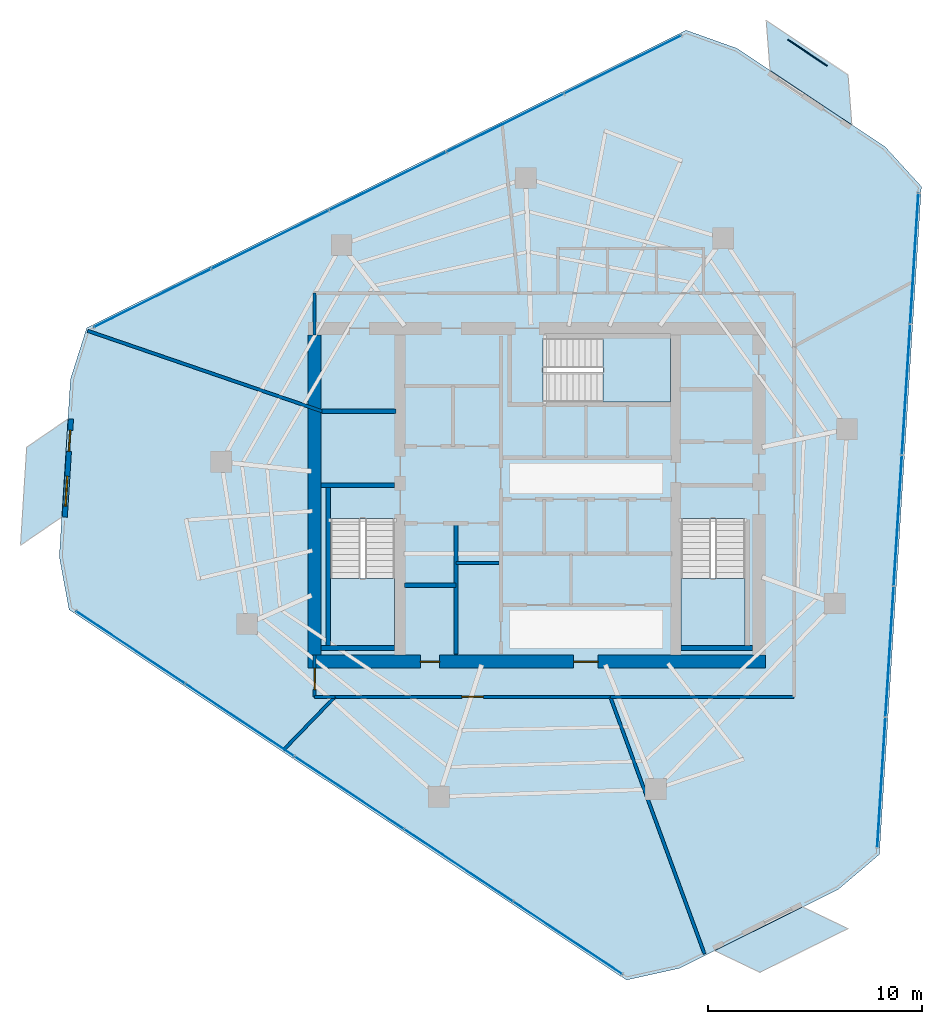
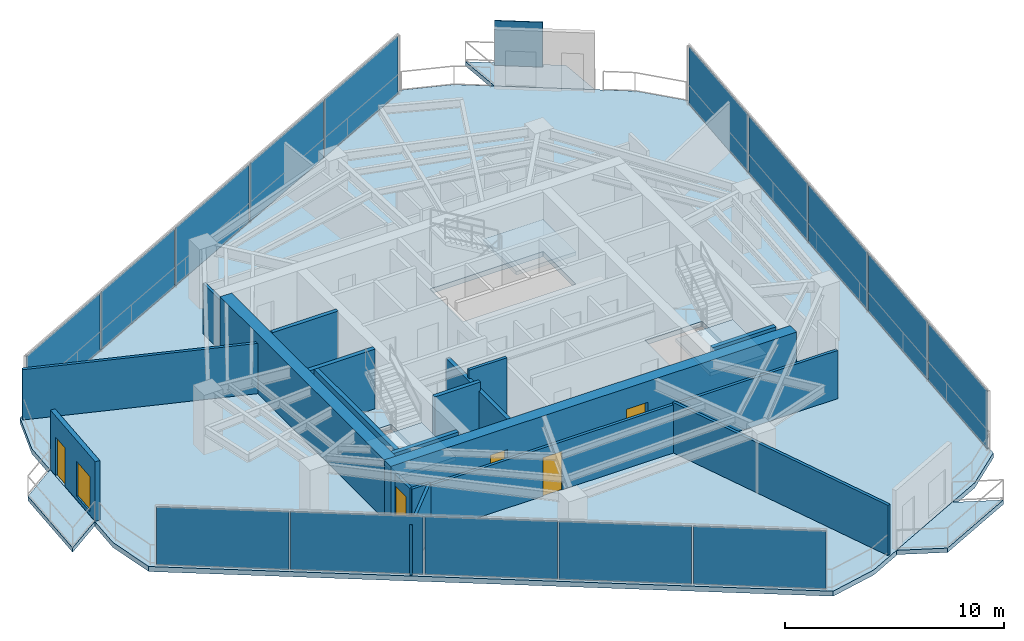
# One storey, part 16 of 21: 19 walls, 16 plates, 7 slabs, 5 doors, 1 window, 6 openings, 6 elements without a shape of their own.
"""IFC4 building model written with IfcOpenShell, lengths in metres."""

from ifc_helpers import new_model, si_unit, direction, frame, frame_2d, origin, origin_2d, place, context, subcontext, project, spatial, polyline, rectangle, outline, extrude, material, layer, layer_set, type_object, element, fill, aggregate, save


model = new_model("IFC4")

# Units and contexts
model_context = context("Model", 3, precision=1e-05, world=origin(), true_north=direction((0.0, 1.0)))
body_context = subcontext(model_context, "Body", "Model", "MODEL_VIEW")
ifc_project = project(units=[si_unit("LENGTHUNIT", "METRE"), si_unit("AREAUNIT", "SQUARE_METRE"), si_unit("VOLUMEUNIT", "CUBIC_METRE"), si_unit("PLANEANGLEUNIT", "RADIAN"), si_unit("MASSUNIT", "GRAM", prefix="KILO")], contexts=[model_context])

# Site, building, storey
site_placement = place(None, origin())
site = spatial("IfcSite", under=ifc_project, at=site_placement, CompositionType="ELEMENT")
building_placement = place(site_placement, origin())
building = spatial("IfcBuilding", under=site, at=building_placement, Name="Qarnah Convention Tower", CompositionType="ELEMENT")
storey_placement = place(building_placement, frame((0.0, 0.0, 165.300048828125)))
storey = spatial("IfcBuildingStorey", under=building, at=storey_placement, Name="L44", CompositionType="ELEMENT", Elevation=165.300048828125)

# Curtain wall, plates
ifc_material_1 = material(Name="Tempered Low-E dark glass", Category="glass")
ifc_layer_1 = layer(ifc_material_1, 0.172119140625)
ifc_layer_set_1 = layer_set([ifc_layer_1], Name="Tempered Low-E dark glass")
curtain_wall_type = type_object("IfcCurtainWallType", Name="CWS-03", PredefinedType="NOTDEFINED", material=ifc_layer_set_1)
curtain_wall_1_placement = place(storey_placement, origin())
curtain_wall_1 = element("IfcCurtainWall", 1, at=curtain_wall_1_placement, inside=storey, type_object=curtain_wall_type, Name="L44 unitised curtain wall CW-L44-F1", PredefinedType="NOTDEFINED")
ifc_layer_2 = layer(ifc_material_1, 0.031982421875)
ifc_layer_set_2 = layer_set([ifc_layer_2], Name="Tempered Low-E dark glass")
plate_type_1 = type_object("IfcPlateType", Name="PNL-T3", PredefinedType="CURTAIN_PANEL", material=ifc_layer_set_2)
plate_1_placement = place(storey_placement, frame((38.652587890625, 5.662353515625, 0.0400390625), z_axis=(0.0, 0.0, 1.0), x_axis=(-0.832920468029, 0.55339271222, 0.0)))
plate_1 = element("IfcPlate", 2, at=plate_1_placement, type_object=plate_type_1, Name="CW-L44-F1 curtain panel 1.1", PredefinedType="CURTAIN_PANEL", context=body_context, shape_type="SweptSolid", body=[
    extrude(rectangle(XDim=6.0654296875, YDim=0.031982421875, at=origin_2d()), origin(), (0.0, 0.0, 1.0), 3.239990234375),
])
plate_2_placement = place(storey_placement, frame((33.5341796875, 9.063232421875, 0.0400390625), z_axis=(0.0, 0.0, 1.0), x_axis=(-0.832920468029, 0.55339271222, 0.0)))
plate_2 = element("IfcPlate", 3, at=plate_2_placement, type_object=plate_type_1, Name="CW-L44-F1 curtain panel 2.1", PredefinedType="CURTAIN_PANEL", context=body_context, shape_type="SweptSolid", body=[
    extrude(rectangle(XDim=6.0654296875, YDim=0.031982421875, at=origin_2d()), origin(), (0.0, 0.0, 1.0), 3.239990234375),
])
plate_3_placement = place(storey_placement, frame((28.41552734375, 12.464111328125, 0.0400390625), z_axis=(0.0, 0.0, 1.0), x_axis=(-0.832920468029, 0.55339271222, 0.0)))
plate_3 = element("IfcPlate", 4, at=plate_3_placement, type_object=plate_type_1, Name="CW-L44-F1 curtain panel 3.1", PredefinedType="CURTAIN_PANEL", context=body_context, shape_type="SweptSolid", body=[
    extrude(rectangle(XDim=6.0654296875, YDim=0.031982421875, at=origin_2d()), origin(), (0.0, 0.0, 1.0), 3.239990234375),
])
plate_4_placement = place(storey_placement, frame((23.296875, 15.86474609375, 0.0400390625), z_axis=(0.0, 0.0, 1.0), x_axis=(-0.832920468029, 0.55339271222, 0.0)))
plate_4 = element("IfcPlate", 5, at=plate_4_placement, type_object=plate_type_1, Name="CW-L44-F1 curtain panel 4.1", PredefinedType="CURTAIN_PANEL", context=body_context, shape_type="SweptSolid", body=[
    extrude(rectangle(XDim=6.0654296875, YDim=0.031982421875, at=origin_2d()), origin(), (0.0, 0.0, 1.0), 3.239990234375),
])
plate_5_placement = place(storey_placement, frame((18.17822265625, 19.265625, 0.0400390625), z_axis=(0.0, 0.0, 1.0), x_axis=(-0.832920468029, 0.55339271222, 0.0)))
plate_5 = element("IfcPlate", 6, at=plate_5_placement, type_object=plate_type_1, Name="CW-L44-F1 curtain panel 5.1", PredefinedType="CURTAIN_PANEL", context=body_context, shape_type="SweptSolid", body=[
    extrude(rectangle(XDim=6.0654296875, YDim=0.031982421875, at=origin_2d()), origin(), (0.0, 0.0, 1.0), 3.239990234375),
])
aggregate(curtain_wall_1, [plate_1, plate_2, plate_3, plate_4, plate_5])

curtain_wall_2_placement = place(storey_placement, origin())
curtain_wall_2 = element("IfcCurtainWall", 7, at=curtain_wall_2_placement, inside=storey, type_object=curtain_wall_type, Name="L44 unitised curtain wall CW-L44-F2", PredefinedType="NOTDEFINED")
plate_6_placement = place(storey_placement, frame((19.207275390625, 35.62109375, 0.0400390625), z_axis=(0.0, 0.0, 1.0), x_axis=(0.895712272422, 0.444634147399, 0.0)))
plate_6 = element("IfcPlate", 8, at=plate_6_placement, type_object=plate_type_1, Name="CW-L44-F2 curtain panel 1.1", PredefinedType="CURTAIN_PANEL", context=body_context, shape_type="SweptSolid", body=[
    extrude(rectangle(XDim=6.065185546875, YDim=0.031982421875, at=origin_2d()), origin(), (0.0, 0.0, 1.0), 3.239990234375),
])
plate_7_placement = place(storey_placement, frame((24.711669921875, 38.353515625, 0.0400390625), z_axis=(0.0, 0.0, 1.0), x_axis=(0.895712272422, 0.444634147399, 0.0)))
plate_7 = element("IfcPlate", 9, at=plate_7_placement, type_object=plate_type_1, Name="CW-L44-F2 curtain panel 2.1", PredefinedType="CURTAIN_PANEL", context=body_context, shape_type="SweptSolid", body=[
    extrude(rectangle(XDim=6.065185546875, YDim=0.031982421875, at=origin_2d()), origin(), (0.0, 0.0, 1.0), 3.239990234375),
])
plate_8_placement = place(storey_placement, frame((30.216064453125, 41.0859375, 0.0400390625), z_axis=(0.0, 0.0, 1.0), x_axis=(0.895712272422, 0.444634147399, 0.0)))
plate_8 = element("IfcPlate", 10, at=plate_8_placement, type_object=plate_type_1, Name="CW-L44-F2 curtain panel 3.1", PredefinedType="CURTAIN_PANEL", context=body_context, shape_type="SweptSolid", body=[
    extrude(rectangle(XDim=6.065185546875, YDim=0.031982421875, at=origin_2d()), origin(), (0.0, 0.0, 1.0), 3.239990234375),
])
plate_9_placement = place(storey_placement, frame((35.720458984375, 43.818359375, 0.0400390625), z_axis=(0.0, 0.0, 1.0), x_axis=(0.895712272422, 0.444634147399, 0.0)))
plate_9 = element("IfcPlate", 11, at=plate_9_placement, type_object=plate_type_1, Name="CW-L44-F2 curtain panel 4.1", PredefinedType="CURTAIN_PANEL", context=body_context, shape_type="SweptSolid", body=[
    extrude(rectangle(XDim=6.065185546875, YDim=0.031982421875, at=origin_2d()), origin(), (0.0, 0.0, 1.0), 3.239990234375),
])
plate_10_placement = place(storey_placement, frame((41.224853515625, 46.55078125, 0.0400390625), z_axis=(0.0, 0.0, 1.0), x_axis=(0.895712272422, 0.444634147399, 0.0)))
plate_10 = element("IfcPlate", 12, at=plate_10_placement, type_object=plate_type_1, Name="CW-L44-F2 curtain panel 5.1", PredefinedType="CURTAIN_PANEL", context=body_context, shape_type="SweptSolid", body=[
    extrude(rectangle(XDim=6.065185546875, YDim=0.031982421875, at=origin_2d()), origin(), (0.0, 0.0, 1.0), 3.239990234375),
])
aggregate(curtain_wall_2, [plate_6, plate_7, plate_8, plate_9, plate_10])

curtain_wall_3_placement = place(storey_placement, origin())
curtain_wall_3 = element("IfcCurtainWall", 13, at=curtain_wall_3_placement, inside=storey, type_object=curtain_wall_type, Name="L44 unitised curtain wall CW-L44-F3", PredefinedType="NOTDEFINED")
plate_11_placement = place(storey_placement, frame((54.8740234375, 37.4814453125, 0.0400390625), z_axis=(0.0, 0.0, 1.0), x_axis=(-0.062781496561, -0.998027296064, 0.0)))
plate_11 = element("IfcPlate", 14, at=plate_11_placement, type_object=plate_type_1, Name="CW-L44-F3 curtain panel 1.1", PredefinedType="CURTAIN_PANEL", context=body_context, shape_type="SweptSolid", body=[
    extrude(rectangle(XDim=6.065185546875, YDim=0.031982421875, at=origin_2d()), origin(), (0.0, 0.0, 1.0), 3.239990234375),
])
plate_12_placement = place(storey_placement, frame((54.48828125, 31.348388671875, 0.0400390625), z_axis=(0.0, 0.0, 1.0), x_axis=(-0.062781496561, -0.998027296064, 0.0)))
plate_12 = element("IfcPlate", 15, at=plate_12_placement, type_object=plate_type_1, Name="CW-L44-F3 curtain panel 2.1", PredefinedType="CURTAIN_PANEL", context=body_context, shape_type="SweptSolid", body=[
    extrude(rectangle(XDim=6.065185546875, YDim=0.031982421875, at=origin_2d()), origin(), (0.0, 0.0, 1.0), 3.239990234375),
])
plate_13_placement = place(storey_placement, frame((54.1025390625, 25.215576171875, 0.0400390625), z_axis=(0.0, 0.0, 1.0), x_axis=(-0.062781496561, -0.998027296064, 0.0)))
plate_13 = element("IfcPlate", 16, at=plate_13_placement, type_object=plate_type_1, Name="CW-L44-F3 curtain panel 3.1", PredefinedType="CURTAIN_PANEL", context=body_context, shape_type="SweptSolid", body=[
    extrude(rectangle(XDim=6.065185546875, YDim=0.031982421875, at=origin_2d()), origin(), (0.0, 0.0, 1.0), 3.239990234375),
])
plate_14_placement = place(storey_placement, frame((53.716796875, 19.08251953125, 0.0400390625), z_axis=(0.0, 0.0, 1.0), x_axis=(-0.062781496561, -0.998027296064, 0.0)))
plate_14 = element("IfcPlate", 17, at=plate_14_placement, type_object=plate_type_1, Name="CW-L44-F3 curtain panel 4.1", PredefinedType="CURTAIN_PANEL", context=body_context, shape_type="SweptSolid", body=[
    extrude(rectangle(XDim=6.065185546875, YDim=0.031982421875, at=origin_2d()), origin(), (0.0, 0.0, 1.0), 3.239990234375),
])
plate_15_placement = place(storey_placement, frame((53.330810546875, 12.949462890625, 0.0400390625), z_axis=(0.0, 0.0, 1.0), x_axis=(-0.062781496561, -0.998027296064, 0.0)))
plate_15 = element("IfcPlate", 18, at=plate_15_placement, type_object=plate_type_1, Name="CW-L44-F3 curtain panel 5.1", PredefinedType="CURTAIN_PANEL", context=body_context, shape_type="SweptSolid", body=[
    extrude(rectangle(XDim=6.065185546875, YDim=0.031982421875, at=origin_2d()), origin(), (0.0, 0.0, 1.0), 3.239990234375),
])
aggregate(curtain_wall_3, [plate_11, plate_12, plate_13, plate_14, plate_15])

# Plate
ifc_material_2 = material(Name="Black anodised aluminium", Category="aluminium")
ifc_layer_3 = layer(ifc_material_2, 0.044921875)
ifc_layer_set_3 = layer_set([ifc_layer_3], Name="Black anodised aluminium")
plate_type_2 = type_object("IfcPlateType", Name="SCR-BAL-18", PredefinedType="USERDEFINED", material=ifc_layer_set_3)
plate_16_placement = place(storey_placement, frame((49.873046875, 47.10498046875, 0.0), z_axis=(0.0, 0.0, 1.0), x_axis=(0.832952146626, -0.553345029282, 0.0)))
element("IfcPlate", 19, at=plate_16_placement, inside=storey, type_object=plate_type_2, Name="L44 perforated desert solar screen BAL-L44-C1", ObjectType="SCREEN", PredefinedType="USERDEFINED", context=body_context, shape_type="SweptSolid", body=[
    extrude(rectangle(XDim=2.199951171875, YDim=0.044921875, at=origin_2d()), origin(), (0.0, 0.0, 1.0), 2.5),
])

# Slabs
ifc_material_3 = material(Name="Concrete C45/55", Category="concrete")
ifc_layer_4 = layer(ifc_material_3, 0.239990234375)
ifc_layer_set_4 = layer_set([ifc_layer_4], Name="Concrete C45/55")
slab_type_1 = type_object("IfcSlabType", Name="SLB-BAL-240", PredefinedType="USERDEFINED", material=ifc_layer_set_4)
slab_1_placement = place(storey_placement, frame((0.0, 0.0, -0.239990234375)))
element("IfcSlab", 20, at=slab_1_placement, inside=storey, type_object=slab_type_1, Name="L44 cantilevered balcony slab BAL-L44-C1", ObjectType="BALCONY", PredefinedType="USERDEFINED", context=body_context, shape_type="SweptSolid", body=[
    extrude(outline(polyline([(47.93896484375, 48.616943359375), (51.77001953125, 46.072021484375), (51.949951171875, 43.73193359375), (48.118896484375, 46.277099609375), (47.93896484375, 48.616943359375)])), origin(), (0.0, 0.0, 1.0), 0.239990234375),
])
slab_2_placement = place(storey_placement, frame((0.0, 0.0, -0.239990234375)))
element("IfcSlab", 21, at=slab_2_placement, inside=storey, type_object=slab_type_1, Name="L44 cantilevered balcony slab BAL-L44-C2", ObjectType="BALCONY", PredefinedType="USERDEFINED", context=body_context, shape_type="SweptSolid", body=[
    extrude(outline(polyline([(13.031005859375, 24.047119140625), (13.320068359375, 28.636962890625), (15.256103515625, 29.962890625), (14.968017578125, 25.3720703125), (13.031005859375, 24.047119140625)])), origin(), (0.0, 0.0, 1.0), 0.239990234375),
])
slab_3_placement = place(storey_placement, frame((0.0, 0.0, -0.239990234375)))
element("IfcSlab", 22, at=slab_3_placement, inside=storey, type_object=slab_type_1, Name="L44 cantilevered balcony slab BAL-L44-C3", ObjectType="BALCONY", PredefinedType="USERDEFINED", context=body_context, shape_type="SweptSolid", body=[
    extrude(outline(polyline([(51.763916015625, 6.10107421875), (47.64404296875, 4.055908203125), (45.527099609375, 5.070068359375), (49.64794921875, 7.114990234375), (51.763916015625, 6.10107421875)])), origin(), (0.0, 0.0, 1.0), 0.239990234375),
])

# Stair, slab
ifc_material_4 = material(Name="Concrete C50/60", Category="concrete")
stair_type = type_object("IfcStairType", Name="STR-OFF", PredefinedType="HALF_TURN_STAIR", material=ifc_material_4)
stair_1_placement = place(storey_placement, origin())
stair_1 = element("IfcStair", 23, at=stair_1_placement, inside=storey, type_object=stair_type, Name="L44 Core exit stair ST-1", PredefinedType="HALF_TURN_STAIR")
ifc_layer_5 = layer(ifc_material_4, 0.199951171875)
ifc_layer_set_5 = layer_set([ifc_layer_5], Name="Concrete C50/60")
slab_type_2 = type_object("IfcSlabType", Name="SLB-LANDING-200", PredefinedType="LANDING", material=ifc_layer_set_5)
slab_4_placement = place(storey_placement, frame((0.0, 0.0, 1.599853515625)))
slab_4 = element("IfcSlab", 24, at=slab_4_placement, type_object=slab_type_2, Name="ST-1 landing 1", PredefinedType="LANDING", context=body_context, shape_type="SweptSolid", body=[
    extrude(outline(polyline([(27.550048828125, 22.5), (27.550048828125, 19.35009765625), (30.550048828125, 19.35009765625), (30.550048828125, 22.5), (27.550048828125, 22.5)])), origin(), (0.0, 0.0, 1.0), 0.2001953125),
])
aggregate(stair_1, [slab_4])

stair_2_placement = place(storey_placement, origin())
stair_2 = element("IfcStair", 25, at=stair_2_placement, inside=storey, type_object=stair_type, Name="L44 Core exit stair ST-2", PredefinedType="HALF_TURN_STAIR")
slab_5_placement = place(storey_placement, frame((0.0, 0.0, 1.599853515625)))
slab_5 = element("IfcSlab", 26, at=slab_5_placement, type_object=slab_type_2, Name="ST-2 landing 1", PredefinedType="LANDING", context=body_context, shape_type="SweptSolid", body=[
    extrude(outline(polyline([(43.949951171875, 22.5), (43.949951171875, 19.35009765625), (46.949951171875, 19.35009765625), (46.949951171875, 22.5), (43.949951171875, 22.5)])), origin(), (0.0, 0.0, 1.0), 0.2001953125),
])
aggregate(stair_2, [slab_5])

stair_3_placement = place(storey_placement, origin())
stair_3 = element("IfcStair", 27, at=stair_3_placement, inside=storey, type_object=stair_type, Name="L44 Core exit stair ST-3", PredefinedType="HALF_TURN_STAIR")
slab_6_placement = place(storey_placement, frame((0.0, 0.0, 1.599853515625)))
slab_6 = element("IfcSlab", 28, at=slab_6_placement, type_object=slab_type_2, Name="ST-3 landing 1", PredefinedType="LANDING", context=body_context, shape_type="SweptSolid", body=[
    extrude(outline(polyline([(40.300048828125, 30.75), (43.449951171875, 30.75), (43.449951171875, 33.75), (40.300048828125, 33.75), (40.300048828125, 30.75)])), origin(), (0.0, 0.0, 1.0), 0.2001953125),
])
aggregate(stair_3, [slab_6])

# Slab
ifc_layer_6 = layer(ifc_material_3, 0.280029296875)
ifc_layer_set_6 = layer_set([ifc_layer_6], Name="Concrete C45/55")
slab_type_3 = type_object("IfcSlabType", Name="SLB-TWR-280", PredefinedType="FLOOR", material=ifc_layer_set_6)
slab_7_placement = place(storey_placement, frame((0.0, 0.0, -0.280029296875)))
element("IfcSlab", 29, at=slab_7_placement, inside=storey, type_object=slab_type_3, Name="L44 structural floor slab", PredefinedType="FLOOR", context=body_context, shape_type="SweptSolid", body=[
    extrude(outline(polyline([(44.19189453125, 48.157958984375), (16.133056640625, 34.22900390625), (15.368896484375, 31.821044921875), (14.846923828125, 23.51611328125), (15.302978515625, 21.031982421875), (41.39501953125, 3.696044921875), (43.862060546875, 4.239013671875), (51.31494140625, 7.93798828125), (53.239013671875, 9.575927734375), (55.2060546875, 40.840087890625), (53.5029296875, 42.705078125), (46.572021484375, 47.31005859375), (44.19189453125, 48.157958984375)]), holes=[polyline([(27.550048828125, 25.300048828125), (27.550048828125, 19.35009765625), (30.550048828125, 19.35009765625), (30.550048828125, 25.300048828125), (27.550048828125, 25.300048828125)]), polyline([(43.949951171875, 25.300048828125), (43.949951171875, 19.35009765625), (46.949951171875, 19.35009765625), (46.949951171875, 25.300048828125), (43.949951171875, 25.300048828125)]), polyline([(37.5, 30.75), (43.449951171875, 30.75), (43.449951171875, 33.75), (37.5, 33.75), (37.5, 30.75)])]), origin(), (0.0, 0.0, 1.0), 0.280029296875),
])

# Wall, openings, doors
ifc_material_5 = material(Name="Concrete C60/75", Category="concrete")
ifc_layer_7 = layer(ifc_material_5, 0.60009765625)
ifc_layer_set_7 = layer_set([ifc_layer_7], Name="Concrete C60/75")
wall_type_1 = type_object("IfcWallType", Name="WL-CORE-600", PredefinedType="SHEAR", material=ifc_layer_set_7)
wall_1_placement = place(storey_placement, frame((26.5, 18.60009765625, 0.0), z_axis=(0.0, 0.0, 1.0), x_axis=(1.0, 0.0, 0.0)))
wall_1 = element("IfcWall", 30, at=wall_1_placement, inside=storey, type_object=wall_type_1, Name="L44 core south shear wall", PredefinedType="SHEAR", context=body_context, shape_type="SweptSolid", body=[
    extrude(rectangle(XDim=21.39990234375, YDim=0.60009765625, at=frame_2d((10.699951171875, 0.0))), origin(), (0.0, 0.0, 1.0), 3.320068359375),
])
opening_1_placement = place(wall_1_placement, frame((12.425048828125, 0.0, 0.0)))
opening_1 = element("IfcOpeningElement", 31, at=opening_1_placement, cuts=wall_1, Name="Opening D-4407", PredefinedType="OPENING", context=body_context, shape_type="SweptSolid", body=[
    extrude(rectangle(XDim=1.14990234375, YDim=2.14990234375, at=frame_2d((0.574951171875, 1.074951171875))), frame((0.0, 0.31005859375, 0.0), z_axis=(0.0, -1.0, 0.0), x_axis=(1.0, 0.0, 0.0)), (0.0, 0.0, 1.0), 0.6201171875),
])
opening_2_placement = place(wall_1_placement, frame((5.25, 0.0, 0.0)))
opening_2 = element("IfcOpeningElement", 32, at=opening_2_placement, cuts=wall_1, Name="Opening D-4413", PredefinedType="OPENING", context=body_context, shape_type="SweptSolid", body=[
    extrude(rectangle(XDim=0.89990234375, YDim=2.10009765625, at=frame_2d((0.449951171875, 1.050048828125))), frame((0.0, 0.31005859375, 0.0), z_axis=(0.0, -1.0, 0.0), x_axis=(1.0, 0.0, 0.0)), (0.0, 0.0, 1.0), 0.6201171875),
])
ifc_material_6 = material(Name="Structural steel S355JR", Category="steel")
door_type_1 = type_object("IfcDoorType", Name="DT-LOBBY-1150", OperationType="NOTDEFINED", PredefinedType="DOOR", material=ifc_material_6)
door_1_placement = place(opening_1_placement, origin())
door_1 = element("IfcDoor", 33, at=door_1_placement, inside=storey, type_object=door_type_1, Name="Door D-4407", OperationType="SINGLE_SWING_LEFT", OverallHeight=2.14990234375, OverallWidth=1.14990234375, PredefinedType="DOOR", context=body_context, shape_type="SweptSolid", body=[
    extrude(rectangle(XDim=1.14990234375, YDim=2.14990234375, at=frame_2d((0.574951171875, 1.074951171875))), frame((0.0, 0.02490234375, 0.0), z_axis=(0.0, -1.0, 0.0), x_axis=(1.0, 0.0, 0.0)), (0.0, 0.0, 1.0), 0.050048828125),
])
fill(opening_1, door_1)
door_type_2 = type_object("IfcDoorType", Name="DT-RISER-900", OperationType="NOTDEFINED", PredefinedType="DOOR", material=ifc_material_6)
door_2_placement = place(opening_2_placement, origin())
door_2 = element("IfcDoor", 34, at=door_2_placement, inside=storey, type_object=door_type_2, Name="Door D-4413", OperationType="SINGLE_SWING_LEFT", OverallHeight=2.10009765625, OverallWidth=0.89990234375, PredefinedType="DOOR", context=body_context, shape_type="SweptSolid", body=[
    extrude(rectangle(XDim=0.89990234375, YDim=2.10009765625, at=frame_2d((0.449951171875, 1.050048828125))), frame((0.0, 0.02490234375, 0.0), z_axis=(0.0, -1.0, 0.0), x_axis=(1.0, 0.0, 0.0)), (0.0, 0.0, 1.0), 0.050048828125),
])
fill(opening_2, door_2)

# Walls
wall_2_placement = place(storey_placement, frame((26.800048828125, 18.89990234375, 0.0), z_axis=(0.0, 0.0, 1.0), x_axis=(0.0, 1.0, 0.0)))
element("IfcWall", 35, at=wall_2_placement, inside=storey, type_object=wall_type_1, Name="L44 core west shear wall", PredefinedType="SHEAR", context=body_context, shape_type="SweptSolid", body=[
    extrude(rectangle(XDim=15.0, YDim=0.60009765625, at=frame_2d((7.5, 0.0))), origin(), (0.0, 0.0, 1.0), 3.320068359375),
])
ifc_layer_8 = layer(ifc_material_3, 0.199951171875)
ifc_layer_set_8 = layer_set([ifc_layer_8], Name="Concrete C45/55")
wall_type_2 = type_object("IfcWallType", Name="WL-CORE-PART-200", PredefinedType="SOLIDWALL", material=ifc_layer_set_8)
wall_3_placement = place(storey_placement, frame((27.14990234375, 30.320068359375, 0.0), z_axis=(0.0, 0.0, 1.0), x_axis=(1.0, 0.0, 0.0)))
element("IfcWall", 36, at=wall_3_placement, inside=storey, type_object=wall_type_2, Name="L44 interior wall IW-L44-ELRN", PredefinedType="SOLIDWALL", context=body_context, shape_type="SweptSolid", body=[
    extrude(rectangle(XDim=3.4501953125, YDim=0.199951171875, at=frame_2d((1.72509765625, 0.0))), origin(), (0.0, 0.0, 1.0), 3.320068359375),
])
wall_4_placement = place(storey_placement, frame((33.419921875, 18.949951171875, 0.0), z_axis=(0.0, 0.0, 1.0), x_axis=(0.0, 1.0, 0.0)))
element("IfcWall", 37, at=wall_4_placement, inside=storey, type_object=wall_type_2, Name="L44 interior wall IW-L44-SVLE", PredefinedType="SOLIDWALL", context=body_context, shape_type="SweptSolid", body=[
    extrude(rectangle(XDim=6.130126953125, YDim=0.199951171875, at=frame_2d((3.06494140625, 0.0))), origin(), (0.0, 0.0, 1.0), 2.841064453125),
])
wall_5_placement = place(storey_placement, frame((31.0, 22.179931640625, 0.0), z_axis=(0.0, 0.0, 1.0), x_axis=(1.0, 0.0, 0.0)))
element("IfcWall", 38, at=wall_5_placement, inside=storey, type_object=wall_type_2, Name="L44 interior wall IW-L44-SVLS", PredefinedType="SOLIDWALL", context=body_context, shape_type="SweptSolid", body=[
    extrude(rectangle(XDim=2.419921875, YDim=0.199951171875, at=frame_2d((1.2099609375, 0.0))), origin(), (0.0, 0.0, 1.0), 3.320068359375),
])
ifc_layer_9 = layer(ifc_material_5, 0.219970703125)
ifc_layer_set_9 = layer_set([ifc_layer_9], Name="Concrete C60/75")
wall_type_3 = type_object("IfcWallType", Name="WL-CORE-STAIR-220", PredefinedType="SHEAR", material=ifc_layer_set_9)
wall_6_placement = place(storey_placement, frame((27.10009765625, 26.860107421875, 0.0), z_axis=(0.0, 0.0, 1.0), x_axis=(1.0, 0.0, 0.0)))
element("IfcWall", 39, at=wall_6_placement, inside=storey, type_object=wall_type_3, Name="L44 stair shaft shear wall SW-L44-ST1N", PredefinedType="SHEAR", context=body_context, shape_type="SweptSolid", body=[
    extrude(rectangle(XDim=3.449951171875, YDim=0.219970703125, at=frame_2d((1.72509765625, 0.0))), origin(), (0.0, 0.0, 1.0), 3.320068359375),
])
wall_7_placement = place(storey_placement, frame((27.43994140625, 19.35009765625, 0.0), z_axis=(0.0, 0.0, 1.0), x_axis=(0.0, 1.0, 0.0)))
element("IfcWall", 40, at=wall_7_placement, inside=storey, type_object=wall_type_3, Name="L44 stair shaft shear wall SW-L44-ST1W", PredefinedType="SHEAR", context=body_context, shape_type="SweptSolid", body=[
    extrude(rectangle(XDim=7.39990234375, YDim=0.219970703125, at=frame_2d((3.699951171875, 0.0))), origin(), (0.0, 0.0, 1.0), 3.320068359375),
])
wall_8_placement = place(storey_placement, frame((27.10009765625, 19.239990234375, 0.0), z_axis=(0.0, 0.0, 1.0), x_axis=(1.0, 0.0, 0.0)))
element("IfcWall", 41, at=wall_8_placement, inside=storey, type_object=wall_type_3, Name="L44 stair shaft shear wall SW-L44-ST1S", PredefinedType="SHEAR", context=body_context, shape_type="SweptSolid", body=[
    extrude(rectangle(XDim=3.449951171875, YDim=0.219970703125, at=frame_2d((1.72509765625, 0.0))), origin(), (0.0, 0.0, 1.0), 3.320068359375),
])
wall_9_placement = place(storey_placement, frame((43.949951171875, 19.239990234375, 0.0), z_axis=(0.0, 0.0, 1.0), x_axis=(1.0, 0.0, 0.0)))
element("IfcWall", 42, at=wall_9_placement, inside=storey, type_object=wall_type_3, Name="L44 stair shaft shear wall SW-L44-ST2S", PredefinedType="SHEAR", context=body_context, shape_type="SweptSolid", body=[
    extrude(rectangle(XDim=3.35009765625, YDim=0.219970703125, at=frame_2d((1.675048828125, 0.0))), origin(), (0.0, 0.0, 1.0), 3.320068359375),
])

# Wall, openings, door, window
ifc_material_7 = material(Name="Precast concrete C45/55", Category="concrete")
ifc_layer_10 = layer(ifc_material_7, 0.239990234375)
ifc_layer_set_10 = layer_set([ifc_layer_10], Name="Precast concrete C45/55")
wall_type_4 = type_object("IfcWallType", Name="WL-EXT-BAL-240", PredefinedType="SOLIDWALL", material=ifc_layer_set_10)
wall_10_placement = place(storey_placement, frame((15.10302734375, 25.364013671875, 0.0), z_axis=(0.0, 0.0, 1.0), x_axis=(0.062837550744, 0.998023768363, 0.0)))
wall_10 = element("IfcWall", 43, at=wall_10_placement, inside=storey, type_object=wall_type_4, Name="L44 loggia threshold wall BAL-L44-C2", PredefinedType="SOLIDWALL", context=body_context, shape_type="SweptSolid", body=[
    extrude(rectangle(XDim=4.60009765625, YDim=0.239990234375, at=frame_2d((2.300048828125, 0.0))), origin(), (0.0, 0.0, 1.0), 3.320068359375),
])
opening_3_placement = place(wall_10_placement, frame((3.080078125, 0.0, 0.0)))
opening_3 = element("IfcOpeningElement", 44, at=opening_3_placement, cuts=wall_10, Name="Opening BD-4402", PredefinedType="OPENING", context=body_context, shape_type="SweptSolid", body=[
    extrude(rectangle(XDim=1.0, YDim=2.14990234375, at=frame_2d((0.5, 1.074951171875))), frame((0.0, 0.1298828125, 0.0), z_axis=(0.0, -1.0, 0.0), x_axis=(1.0, 0.0, 0.0)), (0.0, 0.0, 1.0), 0.260009765625),
])
opening_4_placement = place(wall_10_placement, frame((0.52001953125, 0.0, 0.199951171875)))
opening_4 = element("IfcOpeningElement", 45, at=opening_4_placement, cuts=wall_10, Name="Opening WN4", PredefinedType="OPENING", context=body_context, shape_type="SweptSolid", body=[
    extrude(rectangle(XDim=1.39990234375, YDim=1.949951171875, at=frame_2d((0.699951171875, 0.97509765625))), frame((0.0, 0.1298828125, 0.0), z_axis=(0.0, -1.0, 0.0), x_axis=(1.0, 0.0, 0.0)), (0.0, 0.0, 1.0), 0.260009765625),
])
door_type_3 = type_object("IfcDoorType", Name="DT-BAL-1000", OperationType="NOTDEFINED", PredefinedType="DOOR", material=ifc_material_2)
door_3_placement = place(opening_3_placement, origin())
door_3 = element("IfcDoor", 46, at=door_3_placement, inside=storey, type_object=door_type_3, Name="L44 balcony terrace door BAL-L44-C2", OperationType="SINGLE_SWING_RIGHT", OverallHeight=2.14990234375, OverallWidth=1.0, PredefinedType="DOOR", context=body_context, shape_type="SweptSolid", body=[
    extrude(rectangle(XDim=1.0, YDim=2.14990234375, at=frame_2d((0.5, 1.074951171875))), frame((0.0, 0.02490234375, 0.0), z_axis=(0.0, -1.0, 0.0), x_axis=(1.0, 0.0, 0.0)), (0.0, 0.0, 1.0), 0.050048828125),
])
fill(opening_3, door_3)
window_type = type_object("IfcWindowType", Name="WT-BAL-1400X2000", PartitioningType="SINGLE_PANEL", PredefinedType="WINDOW", material=ifc_material_1)
window_placement = place(opening_4_placement, origin())
window = element("IfcWindow", 47, at=window_placement, inside=storey, type_object=window_type, Name="Window BW-BAL-L44-C2", OverallHeight=1.949951171875, OverallWidth=1.39990234375, PartitioningType="SINGLE_PANEL", PredefinedType="WINDOW", context=body_context, shape_type="SweptSolid", body=[
    extrude(rectangle(XDim=1.39990234375, YDim=1.949951171875, at=frame_2d((0.699951171875, 0.97509765625))), frame((0.0, 0.030029296875, 0.0), z_axis=(0.0, -1.0, 0.0), x_axis=(1.0, 0.0, 0.0)), (0.0, 0.0, 1.0), 0.06005859375),
])
fill(opening_4, window)

# Walls
ifc_material_8 = material(Name="Gypsum partition board")
ifc_layer_11 = layer(ifc_material_8, 0.14990234375)
ifc_layer_set_11 = layer_set([ifc_layer_11], Name="Gypsum partition board")
wall_type_5 = type_object("IfcWallType", Name="WL-SUITE-150", PredefinedType="PARTITIONING", material=ifc_layer_set_11)
wall_11_placement = place(storey_placement, frame((33.419921875, 23.219970703125, 0.0), z_axis=(0.0, 0.0, 1.0), x_axis=(1.0, 0.0, 0.0)))
element("IfcWall", 48, at=wall_11_placement, inside=storey, type_object=wall_type_5, Name="L44 interior wall IW-L44-CSV1", PredefinedType="PARTITIONING", context=body_context, shape_type="SweptSolid", body=[
    extrude(rectangle(XDim=2.0, YDim=0.14990234375, at=frame_2d((1.0, 0.0))), origin(), (0.0, 0.0, 1.0), 3.320068359375),
])
wall_12_placement = place(storey_placement, frame((26.800048828125, 33.89990234375, 0.0), z_axis=(0.0, 0.0, 1.0), x_axis=(0.0, 1.0, 0.0)))
element("IfcWall", 49, at=wall_12_placement, inside=storey, type_object=wall_type_5, Name="L44 interior wall IW-L44-R-18", PredefinedType="PARTITIONING", context=body_context, shape_type="SweptSolid", body=[
    extrude(rectangle(XDim=1.9501953125, YDim=0.14990234375, at=frame_2d((0.97509765625, 0.0))), origin(), (0.0, 0.0, 1.0), 2.804931640625),
])
wall_13_placement = place(storey_placement, frame((16.172119140625, 34.087890625, 0.0), z_axis=(0.0, 0.0, 1.0), x_axis=(0.945839875193, -0.324633532611, 0.0)))
element("IfcWall", 50, at=wall_13_placement, inside=storey, type_object=wall_type_5, Name="L44 interior wall IW-L44-R-20", PredefinedType="PARTITIONING", context=body_context, shape_type="SweptSolid", body=[
    extrude(rectangle(XDim=11.6064453125, YDim=0.14990234375, at=frame_2d((5.80322265625, 0.0))), origin(), (0.0, 0.0, 1.0), 2.804931640625),
])
wall_14_placement = place(storey_placement, frame((25.3369140625, 14.458984375, 0.0), z_axis=(0.0, 0.0, 1.0), x_axis=(0.695789541605, 0.718245719648, 0.0)))
element("IfcWall", 51, at=wall_14_placement, inside=storey, type_object=wall_type_5, Name="L44 interior wall IW-L44-R-21", PredefinedType="PARTITIONING", context=body_context, shape_type="SweptSolid", body=[
    extrude(rectangle(XDim=3.468017578125, YDim=0.14990234375, at=frame_2d((1.73388671875, 0.0))), origin(), (0.0, 0.0, 1.0), 2.804931640625),
])
wall_15_placement = place(storey_placement, frame((27.75, 16.949951171875, 0.0), z_axis=(0.0, 0.0, 1.0), x_axis=(-1.0, 0.0, 0.0)))
element("IfcWall", 52, at=wall_15_placement, inside=storey, type_object=wall_type_5, Name="L44 interior wall IW-L44-R-22", PredefinedType="PARTITIONING", context=body_context, shape_type="SweptSolid", body=[
    extrude(rectangle(XDim=0.949951171875, YDim=0.14990234375, at=frame_2d((0.47509765625, 0.0))), origin(), (0.0, 0.0, 1.0), 2.804931640625),
])

# Wall, opening, door
wall_16_placement = place(storey_placement, frame((26.800048828125, 16.949951171875, 0.0), z_axis=(0.0, 0.0, 1.0), x_axis=(0.0, 1.0, 0.0)))
wall_16 = element("IfcWall", 53, at=wall_16_placement, inside=storey, type_object=wall_type_5, Name="L44 interior wall IW-L44-R-23", PredefinedType="PARTITIONING", context=body_context, shape_type="SweptSolid", body=[
    extrude(rectangle(XDim=1.949951171875, YDim=0.14990234375, at=frame_2d((0.97509765625, 0.0))), origin(), (0.0, 0.0, 1.0), 2.804931640625),
])
opening_5_placement = place(wall_16_placement, frame((0.341064453125, 0.0, 0.0)))
opening_5 = element("IfcOpeningElement", 54, at=opening_5_placement, cuts=wall_16, Name="Opening D-4423", PredefinedType="OPENING", context=body_context, shape_type="SweptSolid", body=[
    extrude(rectangle(XDim=1.0, YDim=2.14990234375, at=frame_2d((0.5, 1.074951171875))), frame((0.0, 0.0849609375, 0.0), z_axis=(0.0, -1.0, 0.0), x_axis=(1.0, 0.0, 0.0)), (0.0, 0.0, 1.0), 0.169921875),
])
ifc_material_9 = material(Name="Oak timber veneer", Category="wood")
door_type_4 = type_object("IfcDoorType", Name="DT-OFFICE-1000", OperationType="NOTDEFINED", PredefinedType="DOOR", material=ifc_material_9)
door_4_placement = place(opening_5_placement, origin())
door_4 = element("IfcDoor", 55, at=door_4_placement, inside=storey, type_object=door_type_4, Name="Door D-4423", OperationType="SINGLE_SWING_LEFT", OverallHeight=2.14990234375, OverallWidth=1.0, PredefinedType="DOOR", context=body_context, shape_type="SweptSolid", body=[
    extrude(rectangle(XDim=1.0, YDim=2.14990234375, at=frame_2d((0.5, 1.074951171875))), frame((0.0, 0.02490234375, 0.0), z_axis=(0.0, -1.0, 0.0), x_axis=(1.0, 0.0, 0.0)), (0.0, 0.0, 1.0), 0.050048828125),
])
fill(opening_5, door_4)

# Wall
wall_17_placement = place(storey_placement, frame((45.052001953125, 4.91796875, 0.0), z_axis=(0.0, 0.0, 1.0), x_axis=(-0.34428095777, 0.938866668978, 0.0)))
element("IfcWall", 56, at=wall_17_placement, inside=storey, type_object=wall_type_5, Name="L44 interior wall IW-L44-R-24", PredefinedType="PARTITIONING", context=body_context, shape_type="SweptSolid", body=[
    extrude(rectangle(XDim=12.8154296875, YDim=0.14990234375, at=frame_2d((6.40771484375, 0.0))), origin(), (0.0, 0.0, 1.0), 2.804931640625),
])

# Wall, opening, door
wall_18_placement = place(storey_placement, frame((40.639892578125, 16.949951171875, 0.0), z_axis=(0.0, 0.0, 1.0), x_axis=(-1.0, 0.0, 0.0)))
wall_18 = element("IfcWall", 57, at=wall_18_placement, inside=storey, type_object=wall_type_5, Name="L44 interior wall IW-L44-R-25", PredefinedType="PARTITIONING", context=body_context, shape_type="SweptSolid", body=[
    extrude(rectangle(XDim=12.889892578125, YDim=0.14990234375, at=frame_2d((6.44482421875, 0.0))), origin(), (0.0, 0.0, 1.0), 2.68701171875),
])
opening_6_placement = place(wall_18_placement, frame((5.945068359375, 0.0, 0.0)))
opening_6 = element("IfcOpeningElement", 58, at=opening_6_placement, cuts=wall_18, Name="Opening D-4424", PredefinedType="OPENING", context=body_context, shape_type="SweptSolid", body=[
    extrude(rectangle(XDim=1.0, YDim=2.14990234375, at=frame_2d((0.5, 1.074951171875))), frame((0.0, 0.0849609375, 0.0), z_axis=(0.0, -1.0, 0.0), x_axis=(1.0, 0.0, 0.0)), (0.0, 0.0, 1.0), 0.169921875),
])
door_5_placement = place(opening_6_placement, origin())
door_5 = element("IfcDoor", 59, at=door_5_placement, inside=storey, type_object=door_type_4, Name="Door D-4424", OperationType="SINGLE_SWING_RIGHT", OverallHeight=2.14990234375, OverallWidth=1.0, PredefinedType="DOOR", context=body_context, shape_type="SweptSolid", body=[
    extrude(rectangle(XDim=1.0, YDim=2.14990234375, at=frame_2d((0.5, 1.074951171875))), frame((0.0, 0.02490234375, 0.0), z_axis=(0.0, -1.0, 0.0), x_axis=(1.0, 0.0, 0.0)), (0.0, 0.0, 1.0), 0.050048828125),
])
fill(opening_6, door_5)

# Wall
wall_19_placement = place(storey_placement, frame((49.25, 16.949951171875, 0.0), z_axis=(0.0, 0.0, 1.0), x_axis=(-1.0, 0.0, 0.0)))
element("IfcWall", 60, at=wall_19_placement, inside=storey, type_object=wall_type_5, Name="L44 interior wall IW-L44-R-28", PredefinedType="PARTITIONING", context=body_context, shape_type="SweptSolid", body=[
    extrude(rectangle(XDim=8.610107421875, YDim=0.14990234375, at=frame_2d((4.30517578125, 0.0))), origin(), (0.0, 0.0, 1.0), 2.68701171875),
])

save(model, "model.ifc")
